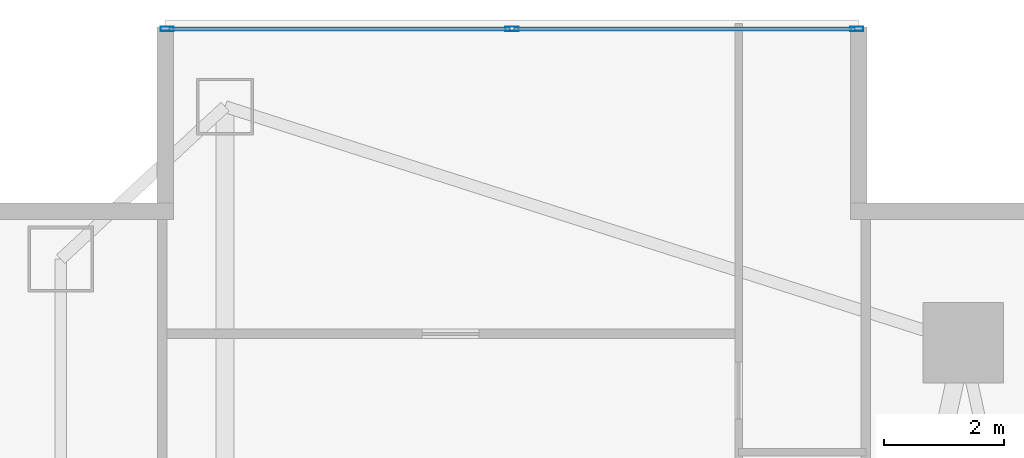
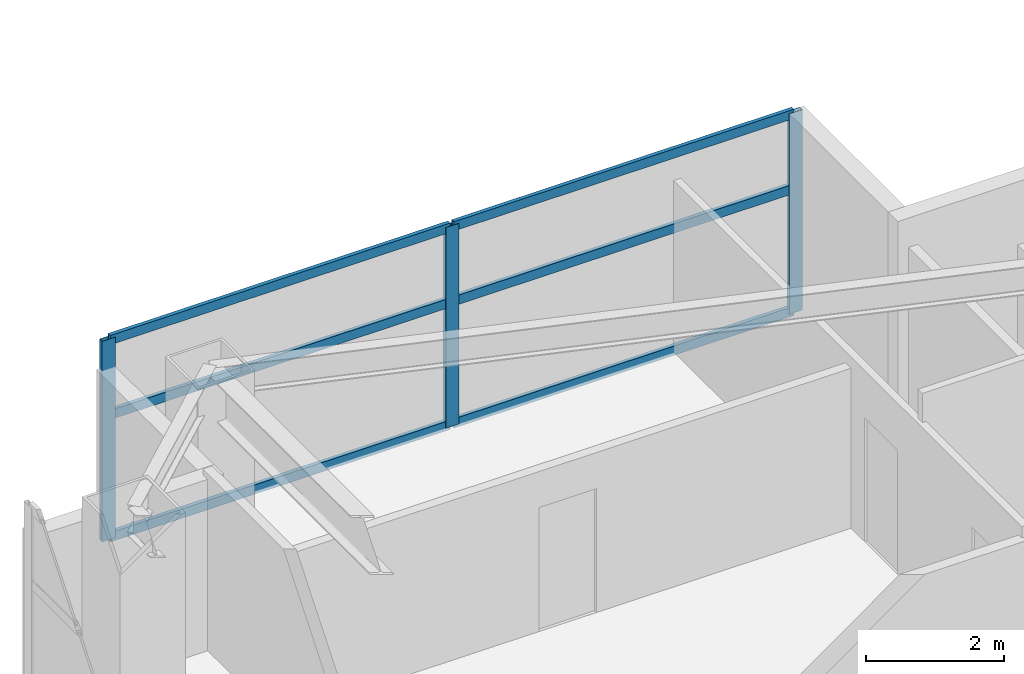
# One storey, part 19 of 29: 9 members, 1 element without a shape of its own.
"""IFC4 building model written with IfcOpenShell, lengths in metres."""

from ifc_helpers import new_model, si_unit, direction, frame, origin, origin_2d, place, context, subcontext, project, spatial, hollow_rectangle, extrude, material, layer, layer_set, material_profile, profile_set, type_object, element, aggregate, save


model = new_model("IFC4")

# Units and contexts
model_context = context("Model", 3, precision=1e-05, world=origin(), true_north=direction((0.0, 1.0)))
body_context = subcontext(model_context, "Body", "Model", "MODEL_VIEW")
ifc_project = project(units=[si_unit("LENGTHUNIT", "METRE"), si_unit("AREAUNIT", "SQUARE_METRE"), si_unit("VOLUMEUNIT", "CUBIC_METRE"), si_unit("PLANEANGLEUNIT", "RADIAN"), si_unit("MASSUNIT", "GRAM", prefix="KILO")], contexts=[model_context])

# Site, building, storey
site_placement = place(None, origin())
site = spatial("IfcSite", under=ifc_project, at=site_placement, CompositionType="ELEMENT")
building_placement = place(site_placement, origin())
building = spatial("IfcBuilding", under=site, at=building_placement, Name="Calvorn Quay Hotel", CompositionType="ELEMENT")
storey_placement = place(building_placement, frame((0.0, 0.0, 85.0)))
storey = spatial("IfcBuildingStorey", under=building, at=storey_placement, Name="L20", CompositionType="ELEMENT", Elevation=85.0)

# Curtain wall, members
ifc_material_1 = material(Name="Pale Anodised Aluminium and Low-E Glass", Category="aluminium")
ifc_layer = layer(ifc_material_1, 0.219970703125)
ifc_layer_set = layer_set([ifc_layer], Name="CW-SYS-Z1")
curtain_wall_type = type_object("IfcCurtainWallType", Name="CW-SYS-Z1", PredefinedType="NOTDEFINED", material=ifc_layer_set)
curtain_wall_placement = place(storey_placement, origin())
curtain_wall = element("IfcCurtainWall", 1, at=curtain_wall_placement, inside=storey, type_object=curtain_wall_type, Name="Inner Court Curtain Wall L20-N1", PredefinedType="NOTDEFINED")
ifc_material_2 = material(Name="Pale Anodised Aluminium 6063-T6", Category="aluminium")
ifc_material_profile_1 = material_profile(ifc_material_2, hollow_rectangle(XDim=0.074951171875, YDim=0.219970703125, WallThickness=0.00439453125, at=origin_2d()), Name="ALU-M220x75x4.5")
ifc_profile_set_1 = profile_set([ifc_material_profile_1], Name="Pale Anodised Aluminium 6063-T6")
member_type_1 = type_object("IfcMemberType", Name="CW-SYS-Z1-MUL", PredefinedType="MULLION", material=ifc_profile_set_1)
member_1_placement = place(storey_placement, frame((14.77001953125, 50.85009765625, 0.0), z_axis=(0.0, 0.0, 1.0), x_axis=(0.0, -1.0, 0.0)))
member_1 = element("IfcMember", 2, at=member_1_placement, type_object=member_type_1, Name="CW-L20-N1 mullion 1", PredefinedType="MULLION", context=body_context, shape_type="SweptSolid", body=[
    extrude(hollow_rectangle(XDim=0.074951171875, YDim=0.219970703125, WallThickness=0.00439453125, at=origin_2d()), origin(), (0.0, 0.0, 1.0), 3.56005859375),
])
member_2_placement = place(storey_placement, frame((9.0, 50.85009765625, 0.0), z_axis=(0.0, 0.0, 1.0), x_axis=(0.0, -1.0, 0.0)))
member_2 = element("IfcMember", 3, at=member_2_placement, type_object=member_type_1, Name="CW-L20-N1 mullion 2", PredefinedType="MULLION", context=body_context, shape_type="SweptSolid", body=[
    extrude(hollow_rectangle(XDim=0.074951171875, YDim=0.219970703125, WallThickness=0.00439453125, at=origin_2d()), origin(), (0.0, 0.0, 1.0), 3.56005859375),
])
member_3_placement = place(storey_placement, frame((3.22998046875, 50.85009765625, 0.0), z_axis=(0.0, 0.0, 1.0), x_axis=(0.0, -1.0, 0.0)))
member_3 = element("IfcMember", 4, at=member_3_placement, type_object=member_type_1, Name="CW-L20-N1 mullion 3", PredefinedType="MULLION", context=body_context, shape_type="SweptSolid", body=[
    extrude(hollow_rectangle(XDim=0.074951171875, YDim=0.219970703125, WallThickness=0.00439453125, at=origin_2d()), origin(), (0.0, 0.0, 1.0), 3.56005859375),
])
ifc_material_3 = material(Name="Pale Anodised Aluminium 6063-T6", Category="aluminium")
ifc_material_profile_2 = material_profile(ifc_material_3, hollow_rectangle(XDim=0.06494140625, YDim=0.1650390625, WallThickness=0.00341796875, at=origin_2d()), Name="ALU-T165x65x3.5")
ifc_profile_set_2 = profile_set([ifc_material_profile_2], Name="Pale Anodised Aluminium 6063-T6")
member_type_2 = type_object("IfcMemberType", Name="CW-SYS-Z1-TRN", PredefinedType="USERDEFINED", material=ifc_profile_set_2)
member_4_placement = place(storey_placement, frame((14.739990234375, 50.85009765625, 0.030029296875), z_axis=(-1.0, 0.0, 0.0), x_axis=(0.0, -1.0, 0.0)))
member_4 = element("IfcMember", 5, at=member_4_placement, type_object=member_type_2, Name="CW-L20-N1 transom 1.1", ObjectType="TRANSOM", PredefinedType="USERDEFINED", context=body_context, shape_type="SweptSolid", body=[
    extrude(hollow_rectangle(XDim=0.06494140625, YDim=0.1650390625, WallThickness=0.00341796875, at=origin_2d()), origin(), (0.0, 0.0, 1.0), 5.7099609375),
])
member_5_placement = place(storey_placement, frame((14.739990234375, 50.85009765625, 2.199951171875), z_axis=(-1.0, 0.0, 0.0), x_axis=(0.0, -1.0, 0.0)))
member_5 = element("IfcMember", 6, at=member_5_placement, type_object=member_type_2, Name="CW-L20-N1 transom 1.2", ObjectType="TRANSOM", PredefinedType="USERDEFINED", context=body_context, shape_type="SweptSolid", body=[
    extrude(hollow_rectangle(XDim=0.06494140625, YDim=0.1650390625, WallThickness=0.00341796875, at=origin_2d()), origin(), (0.0, 0.0, 1.0), 5.7099609375),
])
member_6_placement = place(storey_placement, frame((14.739990234375, 50.85009765625, 3.530029296875), z_axis=(-1.0, 0.0, 0.0), x_axis=(0.0, -1.0, 0.0)))
member_6 = element("IfcMember", 7, at=member_6_placement, type_object=member_type_2, Name="CW-L20-N1 transom 1.3", ObjectType="TRANSOM", PredefinedType="USERDEFINED", context=body_context, shape_type="SweptSolid", body=[
    extrude(hollow_rectangle(XDim=0.06494140625, YDim=0.1650390625, WallThickness=0.00341796875, at=origin_2d()), origin(), (0.0, 0.0, 1.0), 5.7099609375),
])
member_7_placement = place(storey_placement, frame((8.969970703125, 50.85009765625, 0.030029296875), z_axis=(-1.0, 0.0, 0.0), x_axis=(0.0, -1.0, 0.0)))
member_7 = element("IfcMember", 8, at=member_7_placement, type_object=member_type_2, Name="CW-L20-N1 transom 2.1", ObjectType="TRANSOM", PredefinedType="USERDEFINED", context=body_context, shape_type="SweptSolid", body=[
    extrude(hollow_rectangle(XDim=0.06494140625, YDim=0.1650390625, WallThickness=0.00341796875, at=origin_2d()), origin(), (0.0, 0.0, 1.0), 5.7099609375),
])
member_8_placement = place(storey_placement, frame((8.969970703125, 50.85009765625, 2.199951171875), z_axis=(-1.0, 0.0, 0.0), x_axis=(0.0, -1.0, 0.0)))
member_8 = element("IfcMember", 9, at=member_8_placement, type_object=member_type_2, Name="CW-L20-N1 transom 2.2", ObjectType="TRANSOM", PredefinedType="USERDEFINED", context=body_context, shape_type="SweptSolid", body=[
    extrude(hollow_rectangle(XDim=0.06494140625, YDim=0.1650390625, WallThickness=0.00341796875, at=origin_2d()), origin(), (0.0, 0.0, 1.0), 5.7099609375),
])
member_9_placement = place(storey_placement, frame((8.969970703125, 50.85009765625, 3.530029296875), z_axis=(-1.0, 0.0, 0.0), x_axis=(0.0, -1.0, 0.0)))
member_9 = element("IfcMember", 10, at=member_9_placement, type_object=member_type_2, Name="CW-L20-N1 transom 2.3", ObjectType="TRANSOM", PredefinedType="USERDEFINED", context=body_context, shape_type="SweptSolid", body=[
    extrude(hollow_rectangle(XDim=0.06494140625, YDim=0.1650390625, WallThickness=0.00341796875, at=origin_2d()), origin(), (0.0, 0.0, 1.0), 5.7099609375),
])
aggregate(curtain_wall, [member_1, member_2, member_3, member_4, member_5, member_6, member_7, member_8, member_9])

save(model, "model.ifc")
